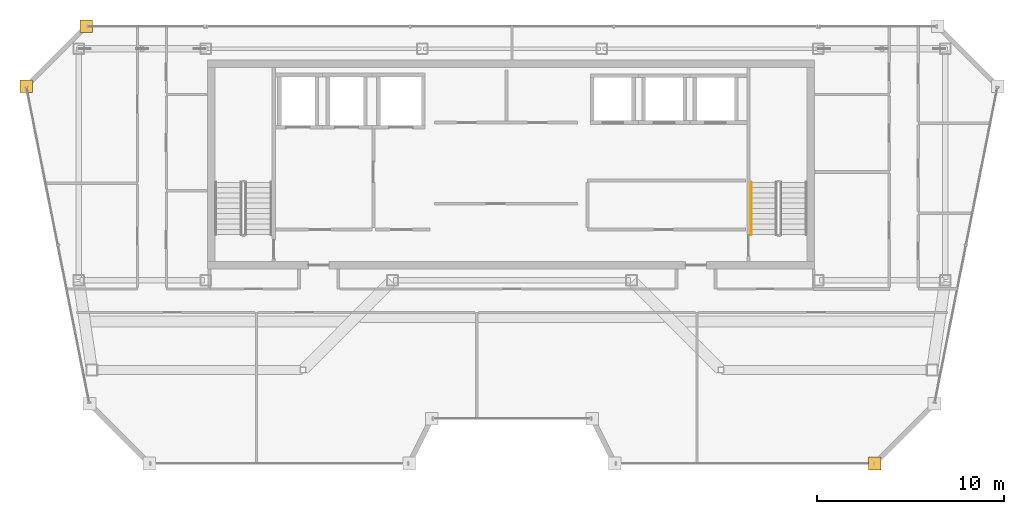
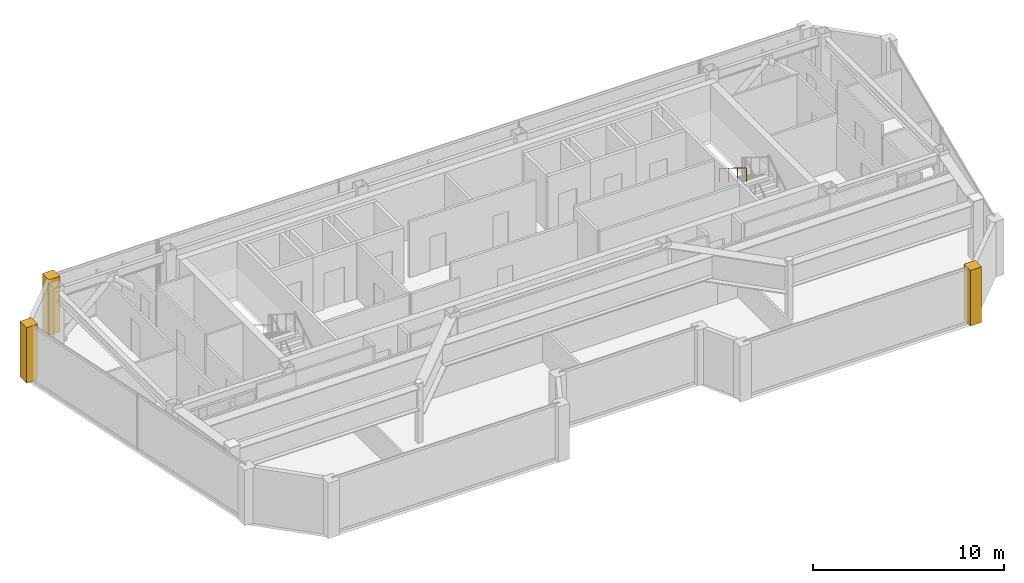
# One storey, part 23 of 24: 3 coverings, 1 railing.
"""IFC4 building model written with IfcOpenShell, lengths in metres."""

from ifc_helpers import new_model, si_unit, direction, frame, origin, origin_2d, place, context, subcontext, project, spatial, polyline, circle, outline, extrude, material, layer, layer_set, type_object, element, save


model = new_model("IFC4")

# Units and contexts
model_context = context("Model", 3, precision=1e-05, world=origin(), true_north=direction((0.0, 1.0)))
body_context = subcontext(model_context, "Body", "Model", "MODEL_VIEW")
ifc_project = project(units=[si_unit("LENGTHUNIT", "METRE"), si_unit("AREAUNIT", "SQUARE_METRE"), si_unit("VOLUMEUNIT", "CUBIC_METRE"), si_unit("PLANEANGLEUNIT", "RADIAN"), si_unit("MASSUNIT", "GRAM", prefix="KILO")], contexts=[model_context])

# Site, building, storey
site_placement = place(None, origin())
site = spatial("IfcSite", under=ifc_project, at=site_placement, CompositionType="ELEMENT")
building_placement = place(site_placement, origin())
building = spatial("IfcBuilding", under=site, at=building_placement, Name="Saevonmaru Cultural Tower", CompositionType="ELEMENT")
storey_placement = place(building_placement, frame((0.0, 0.0, 306.60009765625)))
storey = spatial("IfcBuildingStorey", under=building, at=storey_placement, Name="L73", CompositionType="ELEMENT", Elevation=306.60009765625)

# Coverings
ifc_material = material(Name="Satin Bronze Anodised Aluminium", Category="aluminium")
ifc_layer = layer(ifc_material, 0.679931640625, Name="Satin Bronze Anodised Aluminium")
ifc_layer_set = layer_set([ifc_layer], Name="Satin Bronze Anodised Aluminium")
covering_type = type_object("IfcCoveringType", Name="CV-CORNER-CLAD", PredefinedType="CLADDING", material=ifc_layer_set)
covering_1_placement = place(storey_placement, origin())
element("IfcCovering", 1, at=covering_1_placement, inside=storey, type_object=covering_type, Name="L73 Tower Bronze Corner Cladding Pier 7", PredefinedType="CLADDING", context=body_context, shape_type="SweptSolid", body=[
    extrude(outline(polyline([(49.080078125, 32.260009765625), (49.760009765625, 32.260009765625), (49.760009765625, 32.93994140625), (49.080078125, 32.93994140625), (49.080078125, 32.260009765625)])), origin(), (0.0, 0.0, 1.0), 3.5498046875),
])
covering_2_placement = place(storey_placement, origin())
element("IfcCovering", 2, at=covering_2_placement, inside=storey, type_object=covering_type, Name="L73 Tower Bronze Corner Cladding Pier 11", PredefinedType="CLADDING", context=body_context, shape_type="SweptSolid", body=[
    extrude(outline(polyline([(6.860107421875, 55.659912109375), (7.5400390625, 55.659912109375), (7.5400390625, 56.340087890625), (6.860107421875, 56.340087890625), (6.860107421875, 55.659912109375)])), origin(), (0.0, 0.0, 1.0), 3.5498046875),
])
covering_3_placement = place(storey_placement, origin())
element("IfcCovering", 3, at=covering_3_placement, inside=storey, type_object=covering_type, Name="L73 Tower Bronze Corner Cladding Pier 12", PredefinedType="CLADDING", context=body_context, shape_type="SweptSolid", body=[
    extrude(outline(polyline([(3.659912109375, 52.4599609375), (4.340087890625, 52.4599609375), (4.340087890625, 53.139892578125), (3.659912109375, 53.139892578125), (3.659912109375, 52.4599609375)])), origin(), (0.0, 0.0, 1.0), 3.5498046875),
])

# Railing
railing_type = type_object("IfcRailingType", Name="RL-STAIR-HANDRAIL", PredefinedType="HANDRAIL", material=ifc_material)
railing_placement = place(storey_placement, frame((42.800048828125, 47.64990234375, 2.072509765625)))
element("IfcRailing", 4, at=railing_placement, inside=storey, type_object=railing_type, Name="L73 ST-2 stair handrail 2", PredefinedType="HANDRAIL", context=body_context, shape_type="SweptSolid", body=[
    extrude(circle(Radius=0.02392578125, at=origin_2d()), frame((0.0, 0.0, 0.8759765625), z_axis=(0.0, -0.851069175582, 0.525053576669), x_axis=(1.0, 0.0, 0.0)), (0.0, 0.0, 1.0), 3.289794921875),
    extrude(circle(Radius=0.02099609375, at=origin_2d()), origin(), (0.0, 0.0, 1.0), 0.851806640625),
    extrude(circle(Radius=0.02099609375, at=origin_2d()), frame((0.0, -0.933349609375, 0.57568359375)), (0.0, 0.0, 1.0), 0.851806640625),
    extrude(circle(Radius=0.02099609375, at=origin_2d()), frame((0.0, -1.866455078125, 1.151611328125)), (0.0, 0.0, 1.0), 0.851806640625),
    extrude(circle(Radius=0.02099609375, at=origin_2d()), frame((0.0, -2.7998046875, 1.727294921875)), (0.0, 0.0, 1.0), 0.851806640625),
])

save(model, "model.ifc")
